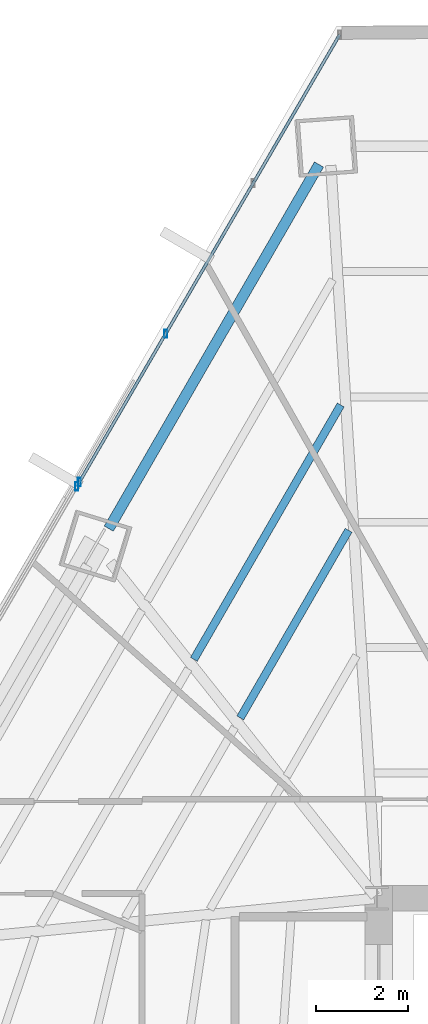
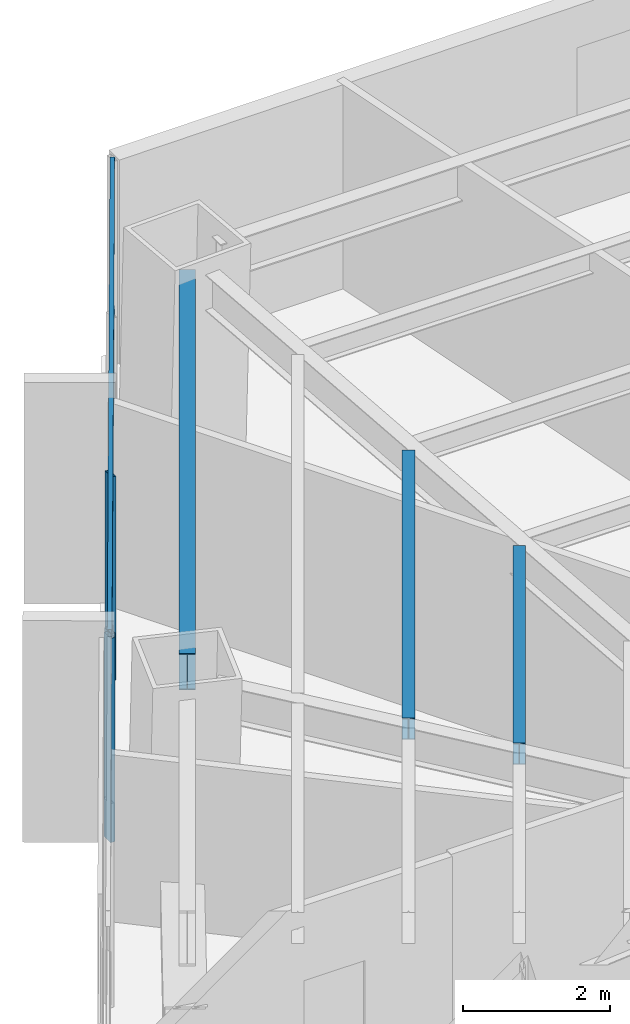
# One storey, part 23 of 34: 5 members, 3 beams, 2 elements without a shape of their own.
"""IFC4 building model written with IfcOpenShell, lengths in metres."""

from ifc_helpers import new_model, si_unit, direction, frame, origin, origin_2d, place, context, subcontext, project, spatial, hollow_rectangle, i_section, extrude, source, transform, mapped, material, material_profile, profile_set, type_object, type_shapes, element, aggregate, save


model = new_model("IFC4")

# Units and contexts
model_context = context("Model", 3, precision=1e-05, world=origin(), true_north=direction((0.0, 1.0)))
body_context = subcontext(model_context, "Body", "Model", "MODEL_VIEW")
ifc_project = project(units=[si_unit("LENGTHUNIT", "METRE"), si_unit("AREAUNIT", "SQUARE_METRE"), si_unit("VOLUMEUNIT", "CUBIC_METRE"), si_unit("PLANEANGLEUNIT", "RADIAN"), si_unit("MASSUNIT", "GRAM", prefix="KILO")], contexts=[model_context])

# Site, building, storey
site_placement = place(None, origin())
site = spatial("IfcSite", under=ifc_project, at=site_placement, CompositionType="ELEMENT")
building_placement = place(site_placement, origin())
building = spatial("IfcBuilding", under=site, at=building_placement, Name="Caelisora Broadcast Tower", CompositionType="ELEMENT")
storey_placement = place(building_placement, frame((0.0, 0.0, 56.800048828125)))
storey = spatial("IfcBuildingStorey", under=building, at=storey_placement, Name="L14", CompositionType="ELEMENT", Elevation=56.800048828125)

# Beams
ifc_material_1 = material(Name="Steel Grade 350 (AS/NZS 3679.1)", Category="steel")
ifc_material_profile_1 = material_profile(ifc_material_1, i_section(OverallWidth=0.22900390625, OverallDepth=0.611572265625, WebThickness=0.011962890625, FlangeThickness=0.01953125, at=origin_2d()), Name="Steel Grade 350 (AS/NZS 3679.1)")
ifc_profile_set_1 = profile_set([ifc_material_profile_1], Name="Steel Grade 350 (AS/NZS 3679.1)")
beam_type_1 = type_object("IfcBeamType", Name="PG03", PredefinedType="BEAM", material=ifc_profile_set_1)
shared_shape_1 = source(origin(), body_context, "Body", "SweptSolid", [
    extrude(i_section(OverallWidth=0.22900390625, OverallDepth=0.611572265625, WebThickness=0.011962890625, FlangeThickness=0.01953125, at=origin_2d()), origin(), (0.0, 0.0, 1.0), 9.129638671875),
])
type_shapes(beam_type_1, [shared_shape_1])
beam_1_placement = place(storey_placement, frame((29.2431640625, 45.931396484375, 3.09423828125), z_axis=(-0.500010259273, -0.866019480509, 0.0), x_axis=(0.866019480509, -0.500010259273, 0.0)))
element("IfcBeam", 1, at=beam_1_placement, inside=storey, type_object=beam_type_1, Name="L14 beam PG03", PredefinedType="BEAM", context=body_context, shape_type="MappedRepresentation", body=[
    mapped(shared_shape_1, transform((0.0, 0.0, 0.0), scale=1.0)),
])
ifc_material_profile_2 = material_profile(ifc_material_1, i_section(OverallWidth=0.172119140625, OverallDepth=0.358642578125, WebThickness=0.008056640625, FlangeThickness=0.012939453125, at=origin_2d()), Name="Steel Grade 350 (AS/NZS 3679.1)")
ifc_profile_set_2 = profile_set([ifc_material_profile_2], Name="Steel Grade 350 (AS/NZS 3679.1)")
beam_type_2 = type_object("IfcBeamType", Name="SB02", PredefinedType="JOIST", material=ifc_profile_set_2)
shared_shape_2 = source(origin(), body_context, "Body", "SweptSolid", [
    extrude(i_section(OverallWidth=0.172119140625, OverallDepth=0.358642578125, WebThickness=0.008056640625, FlangeThickness=0.012939453125, at=origin_2d()), origin(), (0.0, 0.0, 1.0), 4.7021484375),
])
beam_2_placement = place(storey_placement, frame((29.885009765625, 37.989013671875, 3.220703125), z_axis=(-0.499992114976, -0.866029956157, 0.0), x_axis=(0.866029956157, -0.499992114976, 0.0)))
element("IfcBeam", 2, at=beam_2_placement, inside=storey, type_object=beam_type_2, Name="L14 beam SB02", PredefinedType="JOIST", context=body_context, shape_type="MappedRepresentation", body=[
    mapped(shared_shape_2, transform((0.0, 0.0, 0.0), scale=1.0)),
])
shared_shape_3 = source(origin(), body_context, "Body", "SweptSolid", [
    extrude(i_section(OverallWidth=0.172119140625, OverallDepth=0.358642578125, WebThickness=0.008056640625, FlangeThickness=0.012939453125, at=origin_2d()), origin(), (0.0, 0.0, 1.0), 6.37744140625),
])
type_shapes(beam_type_2, [shared_shape_2, shared_shape_3])
beam_3_placement = place(storey_placement, frame((29.714111328125, 40.710693359375, 3.220703125), z_axis=(-0.500005231567, -0.866022383317, 0.0), x_axis=(0.866022383317, -0.500005231567, 0.0)))
element("IfcBeam", 3, at=beam_3_placement, inside=storey, type_object=beam_type_2, Name="L14 beam SB02", PredefinedType="JOIST", context=body_context, shape_type="MappedRepresentation", body=[
    mapped(shared_shape_3, transform((0.0, 0.0, 0.0), scale=1.0)),
])

# Curtain wall, member
ifc_material_2 = material(Name="Unitised Aluminium Insulated Shadow-Box Spandrel Curtain Wall", Category="aluminium")
curtain_wall_type_1 = type_object("IfcCurtainWallType", Name="CW-SP1", PredefinedType="NOTDEFINED", material=ifc_material_2)
curtain_wall_1_placement = place(storey_placement, origin())
curtain_wall_1 = element("IfcCurtainWall", 4, at=curtain_wall_1_placement, inside=storey, type_object=curtain_wall_type_1, Name="L14 curtain wall CW-SP1", PredefinedType="NOTDEFINED")
ifc_material_3 = material(Name="Aluminium 6063-T6 Anodised Terracotta Bronze", Category="aluminium")
ifc_material_profile_3 = material_profile(ifc_material_3, hollow_rectangle(XDim=0.06494140625, YDim=0.179931640625, WallThickness=0.00341796875, at=origin_2d()), Name="Aluminium 6063-T6 Anodised Terracotta Bronze")
ifc_profile_set_3 = profile_set([ifc_material_profile_3], Name="Aluminium 6063-T6 Anodised Terracotta Bronze")
member_type_1 = type_object("IfcMemberType", Name="CWM-02", PredefinedType="MULLION", material=ifc_profile_set_3)
shared_shape_4 = source(origin(), body_context, "Body", "SweptSolid", [
    extrude(hollow_rectangle(XDim=0.06494140625, YDim=0.179931640625, WallThickness=0.00341796875, at=origin_2d()), origin(), (0.0, 0.0, 1.0), 3.39990234375),
])
type_shapes(member_type_1, [shared_shape_4])
member_1_placement = place(storey_placement, frame((23.984619140625, 38.94140625, 0.0), z_axis=(0.0, 0.0, 1.0), x_axis=(1.0, 0.0, 0.0)))
member_1 = element("IfcMember", 5, at=member_1_placement, type_object=member_type_1, Name="L14-CW-B10 mullion #3", PredefinedType="MULLION", context=body_context, shape_type="MappedRepresentation", body=[
    mapped(shared_shape_4, transform((0.0, 0.0, 0.0), scale=1.0)),
])
aggregate(curtain_wall_1, [member_1])

# Curtain wall, members
ifc_material_4 = material(Name="Unitised Aluminium and Low-E Glass Curtain Wall", Category="glass")
curtain_wall_type_2 = type_object("IfcCurtainWallType", Name="CW-Z1", PredefinedType="NOTDEFINED", material=ifc_material_4)
curtain_wall_2_placement = place(storey_placement, origin())
curtain_wall_2 = element("IfcCurtainWall", 6, at=curtain_wall_2_placement, inside=storey, type_object=curtain_wall_type_2, Name="L14 curtain wall CW-Z1", PredefinedType="NOTDEFINED")
member_2_placement = place(storey_placement, frame((24.039794921875, 39.036376953125, 0.0), z_axis=(0.0, 0.0, 1.0), x_axis=(1.0, 0.0, 0.0)))
member_2 = element("IfcMember", 7, at=member_2_placement, type_object=member_type_1, Name="L14-CW-B11 mullion #0", PredefinedType="MULLION", context=body_context, shape_type="MappedRepresentation", body=[
    mapped(shared_shape_4, transform((0.0, 0.0, 0.0), scale=1.0)),
])
member_3_placement = place(storey_placement, frame((25.91455078125, 42.25830078125, 0.0), z_axis=(0.0, 0.0, 1.0), x_axis=(1.0, 0.0, 0.0)))
member_3 = element("IfcMember", 8, at=member_3_placement, type_object=member_type_1, Name="L14-CW-B11 mullion #1", PredefinedType="MULLION", context=body_context, shape_type="MappedRepresentation", body=[
    mapped(shared_shape_4, transform((0.0, 0.0, 0.0), scale=1.0)),
])
ifc_material_profile_4 = material_profile(ifc_material_3, hollow_rectangle(XDim=0.06494140625, YDim=0.179931640625, WallThickness=0.00341796875, at=origin_2d()), Name="Aluminium 6063-T6 Anodised Terracotta Bronze")
ifc_profile_set_4 = profile_set([ifc_material_profile_4], Name="Aluminium 6063-T6 Anodised Terracotta Bronze")
member_type_2 = type_object("IfcMemberType", Name="CWT-01", PredefinedType="USERDEFINED", material=ifc_profile_set_4)
shared_shape_5 = source(origin(), body_context, "Body", "SweptSolid", [
    extrude(hollow_rectangle(XDim=0.06494140625, YDim=0.179931640625, WallThickness=0.00341796875, at=origin_2d()), origin(), (0.0, 0.0, 1.0), 11.2333984375),
])
type_shapes(member_type_2, [shared_shape_5])
member_4_placement = place(storey_placement, frame((24.039794921875, 39.036376953125, 0.849853515625), z_axis=(0.502895054409, 0.864347478883, 0.0), x_axis=(-0.864347478883, 0.502895054409, 0.0)))
member_4 = element("IfcMember", 9, at=member_4_placement, type_object=member_type_2, Name="L14-CW-B11 transom #1", ObjectType="TRANSOM", PredefinedType="USERDEFINED", context=body_context, shape_type="MappedRepresentation", body=[
    mapped(shared_shape_5, transform((0.0, 0.0, 0.0), scale=1.0)),
])
member_5_placement = place(storey_placement, frame((24.039794921875, 39.036376953125, 3.320068359375), z_axis=(0.502895054409, 0.864347478883, 0.0), x_axis=(-0.864347478883, 0.502895054409, 0.0)))
member_5 = element("IfcMember", 10, at=member_5_placement, type_object=member_type_2, Name="L14-CW-B11 transom #2", ObjectType="TRANSOM", PredefinedType="USERDEFINED", context=body_context, shape_type="MappedRepresentation", body=[
    mapped(shared_shape_5, transform((0.0, 0.0, 0.0), scale=1.0)),
])
aggregate(curtain_wall_2, [member_2, member_3, member_4, member_5])

save(model, "model.ifc")
